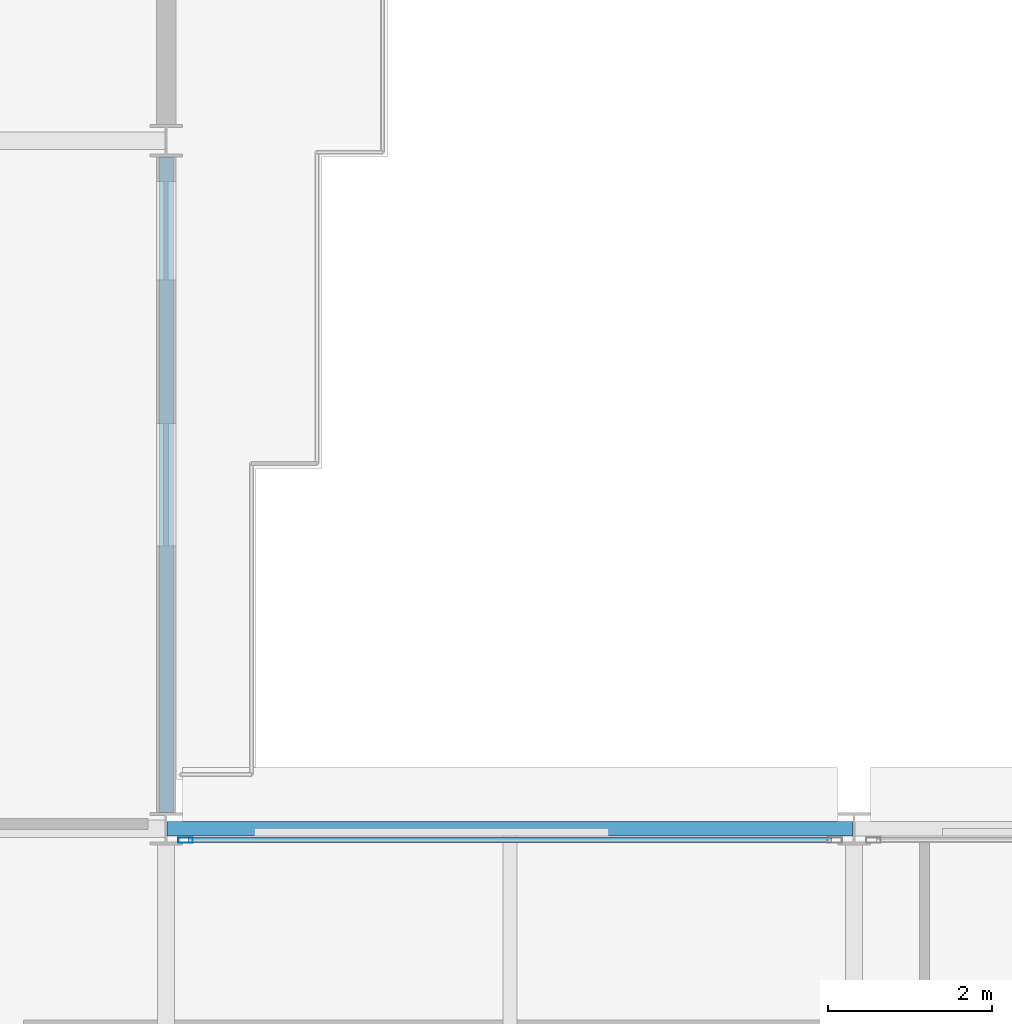
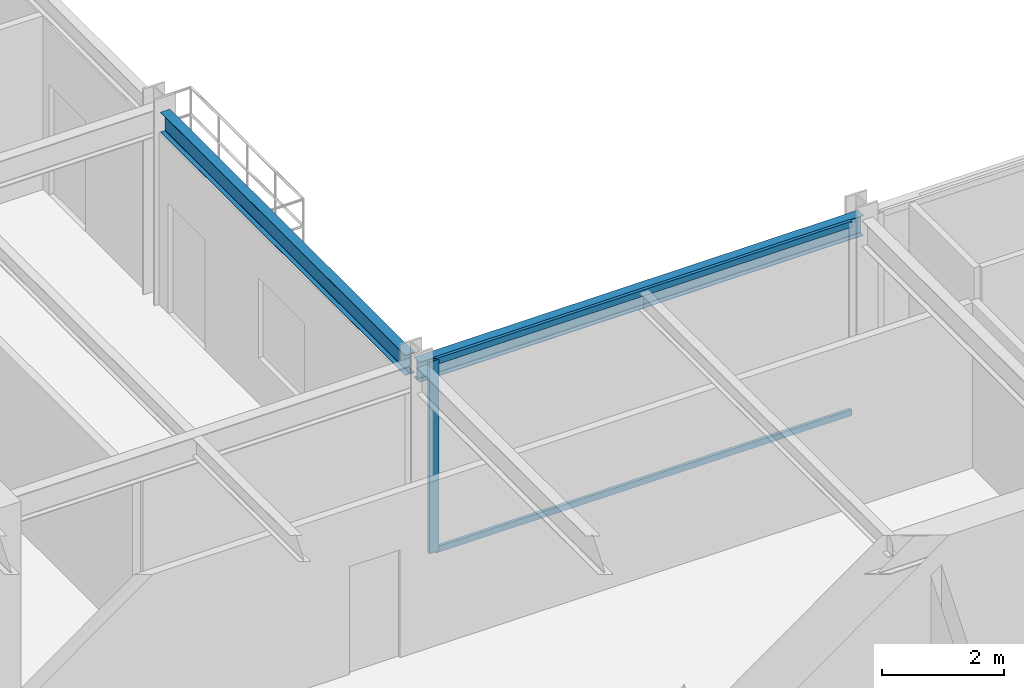
# One storey, part 12 of 30: 3 members, 2 beams, 1 element without a shape of its own.
"""IFC4 building model written with IfcOpenShell, lengths in metres."""

from ifc_helpers import new_model, si_unit, direction, frame, origin, origin_2d, place, context, subcontext, project, spatial, hollow_rectangle, i_section, extrude, material, layer, layer_set, material_profile, profile_set, type_object, element, aggregate, save


model = new_model("IFC4")

# Units and contexts
model_context = context("Model", 3, precision=1e-05, world=origin(), true_north=direction((0.0, 1.0)))
body_context = subcontext(model_context, "Body", "Model", "MODEL_VIEW")
ifc_project = project(units=[si_unit("LENGTHUNIT", "METRE"), si_unit("AREAUNIT", "SQUARE_METRE"), si_unit("VOLUMEUNIT", "CUBIC_METRE"), si_unit("PLANEANGLEUNIT", "RADIAN"), si_unit("MASSUNIT", "GRAM", prefix="KILO")], contexts=[model_context])

# Site, building, storey
site_placement = place(None, origin())
site = spatial("IfcSite", under=ifc_project, at=site_placement, CompositionType="ELEMENT")
building_placement = place(site_placement, origin())
building = spatial("IfcBuilding", under=site, at=building_placement, Name="Nerrivon Quay Data Exchange", CompositionType="ELEMENT")
storey_placement = place(building_placement, frame((0.0, 0.0, 154.10009765625)))
storey = spatial("IfcBuildingStorey", under=building, at=storey_placement, Name="L36", CompositionType="ELEMENT", Elevation=154.10009765625)

# Beams
ifc_material_1 = material(Name="Steel Grade 350", Category="steel")
ifc_material_profile_1 = material_profile(ifc_material_1, i_section(OverallWidth=0.177978515625, OverallDepth=0.403076171875, WebThickness=0.007568359375, FlangeThickness=0.010986328125, FilletRadius=0.011474609375, at=origin_2d()), Name="410UB53.7")
ifc_profile_set_1 = profile_set([ifc_material_profile_1], Name="Steel Grade 350")
beam_type = type_object("IfcBeamType", Name="BM-SP2-410UB54", PredefinedType="SPANDREL", material=ifc_profile_set_1)
beam_1_placement = place(storey_placement, frame((25.21240234375, 25.199951171875, 3.623291015625), z_axis=(1.0, 0.0, 0.0), x_axis=(0.0, 1.0, 0.0)))
element("IfcBeam", 1, at=beam_1_placement, inside=storey, type_object=beam_type, Name="L36 EW Girder Y=25.2 (25.2..33.6)", PredefinedType="SPANDREL", context=body_context, shape_type="SweptSolid", body=[
    extrude(i_section(OverallWidth=0.177978515625, OverallDepth=0.403076171875, WebThickness=0.007568359375, FlangeThickness=0.010986328125, FilletRadius=0.011474609375, at=origin_2d()), origin(), (0.0, 0.0, 1.0), 8.375),
])
beam_2_placement = place(storey_placement, frame((25.199951171875, 25.39990234375, 3.623291015625), z_axis=(0.0, 1.0, 0.0), x_axis=(-1.0, 0.0, 0.0)))
element("IfcBeam", 2, at=beam_2_placement, inside=storey, type_object=beam_type, Name="L36 NS Girder X=25.2 (25.2..33.6)", PredefinedType="SPANDREL", context=body_context, shape_type="SweptSolid", body=[
    extrude(i_section(OverallWidth=0.177978515625, OverallDepth=0.403076171875, WebThickness=0.007568359375, FlangeThickness=0.010986328125, FilletRadius=0.011474609375, at=origin_2d()), origin(), (0.0, 0.0, 1.0), 8.0),
])

# Curtain wall, members
ifc_material_2 = material(Name="Anodised aluminium 6063-T6", Category="aluminium")
ifc_layer = layer(ifc_material_2, 0.2099609375)
ifc_layer_set = layer_set([ifc_layer], Name="Anodised aluminium 6063-T6")
curtain_wall_type = type_object("IfcCurtainWallType", Name="CW-SYS-02", PredefinedType="NOTDEFINED", material=ifc_layer_set)
curtain_wall_placement = place(storey_placement, origin())
curtain_wall = element("IfcCurtainWall", 3, at=curtain_wall_placement, inside=storey, type_object=curtain_wall_type, Name="L36 Unitised Curtain Wall 26", PredefinedType="NOTDEFINED")
ifc_material_profile_2 = material_profile(ifc_material_2, hollow_rectangle(XDim=0.06494140625, YDim=0.179931640625, WallThickness=0.00341796875, at=origin_2d()), Name="ALU-MULL-180x65")
ifc_profile_set_2 = profile_set([ifc_material_profile_2], Name="Anodised aluminium 6063-T6")
member_type_1 = type_object("IfcMemberType", Name="CWM-180x65", PredefinedType="MULLION", material=ifc_profile_set_2)
member_1_placement = place(storey_placement, frame((25.4375, 25.06005859375, 0.0), z_axis=(0.0, 0.0, 1.0), x_axis=(0.0, 1.0, 0.0)))
member_1 = element("IfcMember", 4, at=member_1_placement, type_object=member_type_1, Name="CW02 mullion 1", PredefinedType="MULLION", context=body_context, shape_type="SweptSolid", body=[
    extrude(hollow_rectangle(XDim=0.06494140625, YDim=0.179931640625, WallThickness=0.00341796875, at=origin_2d()), origin(), (0.0, 0.0, 1.0), 3.824951171875),
])
ifc_material_profile_3 = material_profile(ifc_material_2, hollow_rectangle(XDim=0.06005859375, YDim=0.1201171875, WallThickness=0.003173828125, at=origin_2d()), Name="ALU-TRAN-120x60")
ifc_profile_set_3 = profile_set([ifc_material_profile_3], Name="Anodised aluminium 6063-T6")
member_type_2 = type_object("IfcMemberType", Name="CWT-120x60", PredefinedType="USERDEFINED", material=ifc_profile_set_3)
member_2_placement = place(storey_placement, frame((25.47509765625, 25.06005859375, 0.032470703125), z_axis=(1.0, 0.0, 0.0), x_axis=(0.0, 1.0, 0.0)))
member_2 = element("IfcMember", 5, at=member_2_placement, type_object=member_type_2, Name="CW02 transom 1.1", ObjectType="TRANSOM", PredefinedType="USERDEFINED", context=body_context, shape_type="SweptSolid", body=[
    extrude(hollow_rectangle(XDim=0.06005859375, YDim=0.1201171875, WallThickness=0.003173828125, at=origin_2d()), origin(), (0.0, 0.0, 1.0), 7.849853515625),
])
member_3_placement = place(storey_placement, frame((25.47509765625, 25.06005859375, 3.79248046875), z_axis=(1.0, 0.0, 0.0), x_axis=(0.0, 1.0, 0.0)))
member_3 = element("IfcMember", 6, at=member_3_placement, type_object=member_type_2, Name="CW02 transom 1.2", ObjectType="TRANSOM", PredefinedType="USERDEFINED", context=body_context, shape_type="SweptSolid", body=[
    extrude(hollow_rectangle(XDim=0.06005859375, YDim=0.1201171875, WallThickness=0.003173828125, at=origin_2d()), origin(), (0.0, 0.0, 1.0), 7.849853515625),
])
aggregate(curtain_wall, [member_1, member_2, member_3])

save(model, "model.ifc")
